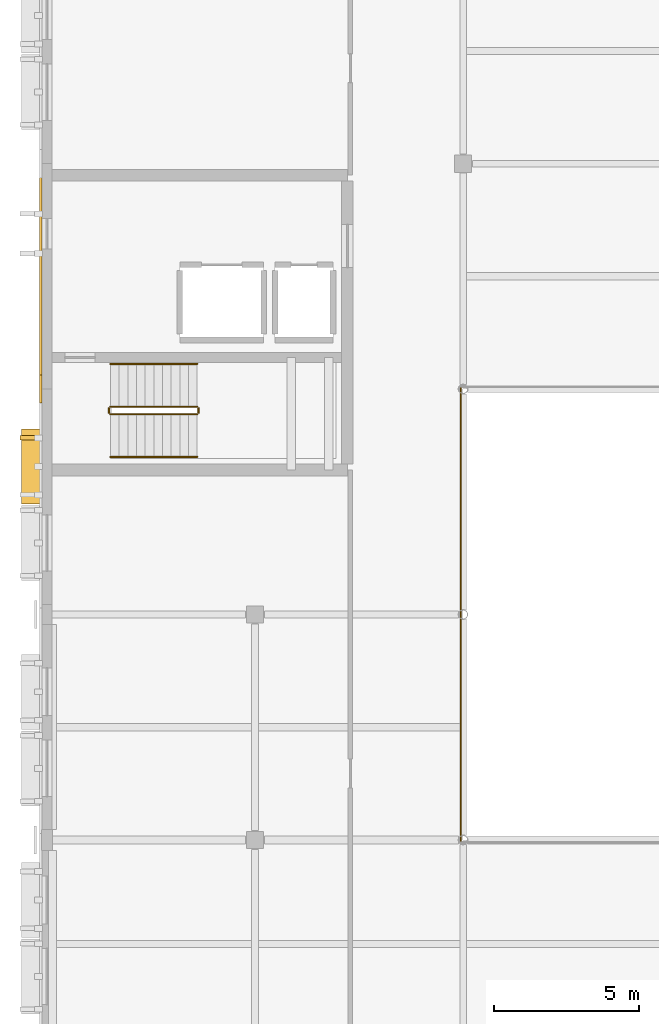
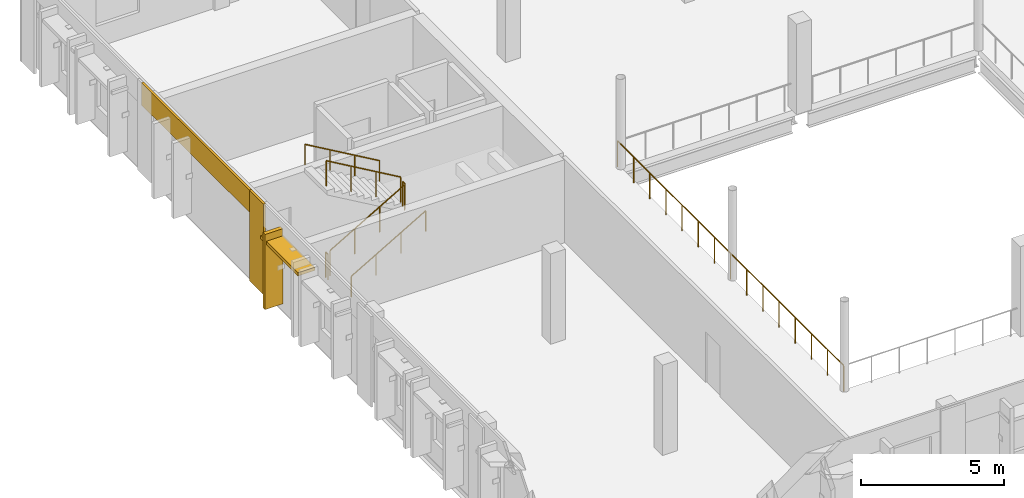
# One storey, part 55 of 64: 7 railings, 2 coverings, 2 shading devices.
"""IFC4 building model written with IfcOpenShell, lengths in metres."""

from ifc_helpers import new_model, si_unit, direction, frame, origin, origin_2d, place, context, subcontext, project, spatial, rectangle, circle, extrude, material, layer, layer_set, type_object, element, save


model = new_model("IFC4")

# Units and contexts
model_context = context("Model", 3, precision=1e-05, world=origin(), true_north=direction((0.0, 1.0)))
body_context = subcontext(model_context, "Body", "Model", "MODEL_VIEW")
ifc_project = project(units=[si_unit("LENGTHUNIT", "METRE"), si_unit("AREAUNIT", "SQUARE_METRE"), si_unit("VOLUMEUNIT", "CUBIC_METRE"), si_unit("PLANEANGLEUNIT", "RADIAN"), si_unit("MASSUNIT", "GRAM", prefix="KILO")], contexts=[model_context])

# Site, building, storey
site_placement = place(None, origin())
site = spatial("IfcSite", under=ifc_project, at=site_placement, CompositionType="ELEMENT")
building_placement = place(site_placement, origin())
building = spatial("IfcBuilding", under=site, at=building_placement, Name="Vervanel Yard Central Library", CompositionType="ELEMENT")
storey_placement = place(building_placement, frame((0.0, 0.0, 8.93994140625)))
storey = spatial("IfcBuildingStorey", under=building, at=storey_placement, Name="L02", CompositionType="ELEMENT", Elevation=8.93994140625)

# Railings
ifc_material_1 = material(Name="Brushed stainless steel AISI 316", Category="steel")
railing_type_1 = type_object("IfcRailingType", Name="Brushed Stainless Stair Handrail 900", PredefinedType="HANDRAIL", material=ifc_material_1)
railing_1_placement = place(storey_placement, frame((2.199951171875, 56.449951171875, 0.174560546875)))
element("IfcRailing", 1, at=railing_1_placement, inside=storey, type_object=railing_type_1, Name="L02 ST-03 stair handrail 1", PredefinedType="HANDRAIL", context=body_context, shape_type="SweptSolid", body=[
    extrude(circle(Radius=0.02392578125, at=origin_2d()), frame((0.0, 0.0, 0.8759765625), z_axis=(0.864329436341, 0.0, 0.502926063626), x_axis=(0.0, 1.0, 0.0)), (0.0, 0.0, 1.0), 3.470947265625),
    extrude(circle(Radius=0.02099609375, at=origin_2d()), origin(), (0.0, 0.0, 1.0), 0.851806640625),
    extrude(circle(Radius=0.02099609375, at=origin_2d()), frame((1.0, 0.0, 0.581787109375)), (0.0, 0.0, 1.0), 0.851806640625),
    extrude(circle(Radius=0.02099609375, at=origin_2d()), frame((2.0, 0.0, 1.163818359375)), (0.0, 0.0, 1.0), 0.851806640625),
    extrude(circle(Radius=0.02099609375, at=origin_2d()), frame((3.0, 0.0, 1.74560546875)), (0.0, 0.0, 1.0), 0.851806640625),
])
railing_2_placement = place(storey_placement, frame((5.199951171875, 59.669921875, 2.094482421875)))
element("IfcRailing", 2, at=railing_2_placement, inside=storey, type_object=railing_type_1, Name="L02 ST-03 stair handrail 2", PredefinedType="HANDRAIL", context=body_context, shape_type="SweptSolid", body=[
    extrude(circle(Radius=0.02392578125, at=origin_2d()), frame((0.0, 0.0, 0.8759765625), z_axis=(-0.864329436341, 0.0, 0.502926063626), x_axis=(0.0, -1.0, 0.0)), (0.0, 0.0, 1.0), 3.470947265625),
    extrude(circle(Radius=0.02099609375, at=origin_2d()), origin(), (0.0, 0.0, 1.0), 0.851806640625),
    extrude(circle(Radius=0.02099609375, at=origin_2d()), frame((-1.0, 0.0, 0.581787109375)), (0.0, 0.0, 1.0), 0.851806640625),
    extrude(circle(Radius=0.02099609375, at=origin_2d()), frame((-2.0, 0.0, 1.163818359375)), (0.0, 0.0, 1.0), 0.851806640625),
    extrude(circle(Radius=0.02099609375, at=origin_2d()), frame((-3.0, 0.0, 1.74560546875)), (0.0, 0.0, 1.0), 0.851806640625),
])

# Coverings
ifc_material_2 = material(Name="Precast concrete C45/55", Category="concrete")
ifc_layer = layer(ifc_material_2, 0.0849609375, Category="concrete")
ifc_layer_set = layer_set([ifc_layer], Name="Precast concrete C45/55")
covering_type = type_object("IfcCoveringType", Name="Bush-Hammered Precast Architectural Cladding Panel", PredefinedType="CLADDING", material=ifc_layer_set)
covering_1_placement = place(storey_placement, frame((-0.21240234375, 58.800048828125, 0.0), z_axis=(0.0, 0.0, 1.0), x_axis=(0.0, 1.0, 0.0)))
element("IfcCovering", 3, at=covering_1_placement, inside=storey, type_object=covering_type, Name="L02 Precast Concrete Pier Pilaster EWALL-L02-0114-B", PredefinedType="CLADDING", context=body_context, shape_type="SweptSolid", body=[
    extrude(rectangle(XDim=0.97998046875, YDim=0.0849609375, at=origin_2d()), origin(), (0.0, 0.0, 1.0), 3.860107421875),
])
covering_2_placement = place(storey_placement, frame((-0.2099609375, 62.699951171875, 2.91015625), z_axis=(0.0, 0.0, 1.0), x_axis=(0.0, 1.0, 0.0)))
element("IfcCovering", 4, at=covering_2_placement, inside=storey, type_object=covering_type, Name="L02 Precast Concrete Spandrel Cornice EWALL-L02-0115", PredefinedType="CLADDING", context=body_context, shape_type="SweptSolid", body=[
    extrude(rectangle(XDim=8.25, YDim=0.0849609375, at=origin_2d()), origin(), (0.0, 0.0, 1.0), 0.949951171875),
])

# Railing
railing_type_2 = type_object("IfcRailingType", Name="Glazed Atrium & Gallery Balustrade 1120", PredefinedType="BALUSTRADE", material=ifc_material_1)
railing_3_placement = place(storey_placement, frame((14.320068359375, 58.8798828125, 0.0)))
element("IfcRailing", 5, at=railing_3_placement, inside=storey, type_object=railing_type_2, Name="L02 Void Guard ATRIUM-GD-L02 W", PredefinedType="BALUSTRADE", context=body_context, shape_type="SweptSolid", body=[
    extrude(circle(Radius=0.02392578125, at=origin_2d()), frame((0.0, 0.0, 1.09619140625), z_axis=(0.0, -1.0, 0.0), x_axis=(1.0, 0.0, 0.0)), (0.0, 0.0, 1.0), 15.759765625),
    extrude(circle(Radius=0.02099609375, at=origin_2d()), origin(), (0.0, 0.0, 1.0), 1.072021484375),
    extrude(circle(Radius=0.02099609375, at=origin_2d()), frame((0.0, -1.125732421875, 0.0)), (0.0, 0.0, 1.0), 1.072021484375),
    extrude(circle(Radius=0.02099609375, at=origin_2d()), frame((0.0, -2.25146484375, 0.0)), (0.0, 0.0, 1.0), 1.072021484375),
    extrude(circle(Radius=0.02099609375, at=origin_2d()), frame((0.0, -3.377197265625, 0.0)), (0.0, 0.0, 1.0), 1.072021484375),
    extrude(circle(Radius=0.02099609375, at=origin_2d()), frame((0.0, -4.502685546875, 0.0)), (0.0, 0.0, 1.0), 1.072021484375),
    extrude(circle(Radius=0.02099609375, at=origin_2d()), frame((0.0, -5.62841796875, 0.0)), (0.0, 0.0, 1.0), 1.072021484375),
    extrude(circle(Radius=0.02099609375, at=origin_2d()), frame((0.0, -6.754150390625, 0.0)), (0.0, 0.0, 1.0), 1.072021484375),
    extrude(circle(Radius=0.02099609375, at=origin_2d()), frame((0.0, -7.8798828125, 0.0)), (0.0, 0.0, 1.0), 1.072021484375),
    extrude(circle(Radius=0.02099609375, at=origin_2d()), frame((0.0, -9.005615234375, 0.0)), (0.0, 0.0, 1.0), 1.072021484375),
    extrude(circle(Radius=0.02099609375, at=origin_2d()), frame((0.0, -10.13134765625, 0.0)), (0.0, 0.0, 1.0), 1.072021484375),
    extrude(circle(Radius=0.02099609375, at=origin_2d()), frame((0.0, -11.257080078125, 0.0)), (0.0, 0.0, 1.0), 1.072021484375),
    extrude(circle(Radius=0.02099609375, at=origin_2d()), frame((0.0, -12.382568359375, 0.0)), (0.0, 0.0, 1.0), 1.072021484375),
    extrude(circle(Radius=0.02099609375, at=origin_2d()), frame((0.0, -13.50830078125, 0.0)), (0.0, 0.0, 1.0), 1.072021484375),
    extrude(circle(Radius=0.02099609375, at=origin_2d()), frame((0.0, -14.634033203125, 0.0)), (0.0, 0.0, 1.0), 1.072021484375),
    extrude(circle(Radius=0.02099609375, at=origin_2d()), frame((0.0, -15.759765625, 0.0)), (0.0, 0.0, 1.0), 1.072021484375),
])

# Shading device
shading_device_type_1 = type_object("IfcShadingDeviceType", Name="Horizontal Precast Brise-Soleil Sunhood 2600x680x140", PredefinedType="JALOUSIE", material=ifc_material_2)
shading_device_1_placement = place(storey_placement, frame((-0.5400390625, 56.125, 3.1298828125), z_axis=(0.0, 0.0, 1.0), x_axis=(0.0, 1.0, 0.0)))
element("IfcShadingDevice", 6, at=shading_device_1_placement, inside=storey, type_object=shading_device_type_1, Name="L02 Precast Horizontal Sunhood 59", PredefinedType="JALOUSIE", context=body_context, shape_type="SweptSolid", body=[
    extrude(rectangle(XDim=2.60009765625, YDim=0.679931640625, at=origin_2d()), origin(), (0.0, 0.0, 1.0), 0.139892578125),
])

# Railings
ifc_material_3 = material(Name="Galvanized painted steelwork ASTM A500 Grade C", Category="steel")
railing_type_3 = type_object("IfcRailingType", Name="Painted Steel Guardrail 1100", PredefinedType="GUARDRAIL", material=ifc_material_3)
railing_4_placement = place(storey_placement, frame((2.199951171875, 57.929931640625, 0.174560546875)))
element("IfcRailing", 7, at=railing_4_placement, inside=storey, type_object=railing_type_3, Name="L02 ST-03 stair guard 1", PredefinedType="GUARDRAIL", context=body_context, shape_type="SweptSolid", body=[
    extrude(circle(Radius=0.02392578125, at=origin_2d()), frame((0.0, 0.0, 1.076171875), z_axis=(0.864329436341, 0.0, 0.502926063626), x_axis=(0.0, 1.0, 0.0)), (0.0, 0.0, 1.0), 3.470947265625),
    extrude(circle(Radius=0.02099609375, at=origin_2d()), origin(), (0.0, 0.0, 1.0), 1.052001953125),
    extrude(circle(Radius=0.02099609375, at=origin_2d()), frame((1.0, 0.0, 0.581787109375)), (0.0, 0.0, 1.0), 1.052001953125),
    extrude(circle(Radius=0.02099609375, at=origin_2d()), frame((2.0, 0.0, 1.163818359375)), (0.0, 0.0, 1.0), 1.052001953125),
    extrude(circle(Radius=0.02099609375, at=origin_2d()), frame((3.0, 0.0, 1.74560546875)), (0.0, 0.0, 1.0), 1.052001953125),
])
railing_5_placement = place(storey_placement, frame((5.25, 57.97998046875, 1.920166015625)))
element("IfcRailing", 8, at=railing_5_placement, inside=storey, type_object=railing_type_3, Name="L02 ST-03 stair guard 2", PredefinedType="GUARDRAIL", context=body_context, shape_type="SweptSolid", body=[
    extrude(circle(Radius=0.02392578125, at=origin_2d()), frame((0.0, 0.0, 1.076171875), z_axis=(0.0, 1.0, 0.0), x_axis=(-1.0, 0.0, 0.0)), (0.0, 0.0, 1.0), 0.159912109375),
    extrude(circle(Radius=0.02099609375, at=origin_2d()), origin(), (0.0, 0.0, 1.0), 1.052001953125),
    extrude(circle(Radius=0.02099609375, at=origin_2d()), frame((0.0, 0.159912109375, 0.0)), (0.0, 0.0, 1.0), 1.052001953125),
])
railing_6_placement = place(storey_placement, frame((5.199951171875, 58.18994140625, 2.094482421875)))
element("IfcRailing", 9, at=railing_6_placement, inside=storey, type_object=railing_type_3, Name="L02 ST-03 stair guard 3", PredefinedType="GUARDRAIL", context=body_context, shape_type="SweptSolid", body=[
    extrude(circle(Radius=0.02392578125, at=origin_2d()), frame((0.0, 0.0, 1.076171875), z_axis=(-0.864329436341, 0.0, 0.502926063626), x_axis=(0.0, -1.0, 0.0)), (0.0, 0.0, 1.0), 3.470947265625),
    extrude(circle(Radius=0.02099609375, at=origin_2d()), origin(), (0.0, 0.0, 1.0), 1.052001953125),
    extrude(circle(Radius=0.02099609375, at=origin_2d()), frame((-1.0, 0.0, 0.581787109375)), (0.0, 0.0, 1.0), 1.052001953125),
    extrude(circle(Radius=0.02099609375, at=origin_2d()), frame((-2.0, 0.0, 1.163818359375)), (0.0, 0.0, 1.0), 1.052001953125),
    extrude(circle(Radius=0.02099609375, at=origin_2d()), frame((-3.0, 0.0, 1.74560546875)), (0.0, 0.0, 1.0), 1.052001953125),
])
railing_7_placement = place(storey_placement, frame((2.14990234375, 57.97998046875, 0.0)))
element("IfcRailing", 10, at=railing_7_placement, inside=storey, type_object=railing_type_3, Name="L02 ST-03 stair guard 4", PredefinedType="GUARDRAIL", context=body_context, shape_type="SweptSolid", body=[
    extrude(circle(Radius=0.02392578125, at=origin_2d()), frame((0.0, 0.0, 1.076171875), z_axis=(0.0, 1.0, 0.0), x_axis=(-1.0, 0.0, 0.0)), (0.0, 0.0, 1.0), 0.159912109375),
    extrude(circle(Radius=0.02099609375, at=origin_2d()), origin(), (0.0, 0.0, 1.0), 1.052001953125),
    extrude(circle(Radius=0.02099609375, at=origin_2d()), frame((0.0, 0.159912109375, 0.0)), (0.0, 0.0, 1.0), 1.052001953125),
])

# Shading device
shading_device_type_2 = type_object("IfcShadingDeviceType", Name="Vertical Precast Solar Fin 160x720x3200", PredefinedType="JALOUSIE", material=ifc_material_2)
shading_device_2_placement = place(storey_placement, frame((-0.570068359375, 57.110107421875, 0.375), z_axis=(0.0, 0.0, 1.0), x_axis=(0.0, 1.0, 0.0)))
element("IfcShadingDevice", 11, at=shading_device_2_placement, inside=storey, type_object=shading_device_type_2, Name="L02 Precast Solar Fin 318", PredefinedType="JALOUSIE", context=body_context, shape_type="SweptSolid", body=[
    extrude(rectangle(XDim=0.159912109375, YDim=0.719970703125, at=origin_2d()), origin(), (0.0, 0.0, 1.0), 3.199951171875),
])

save(model, "model.ifc")
